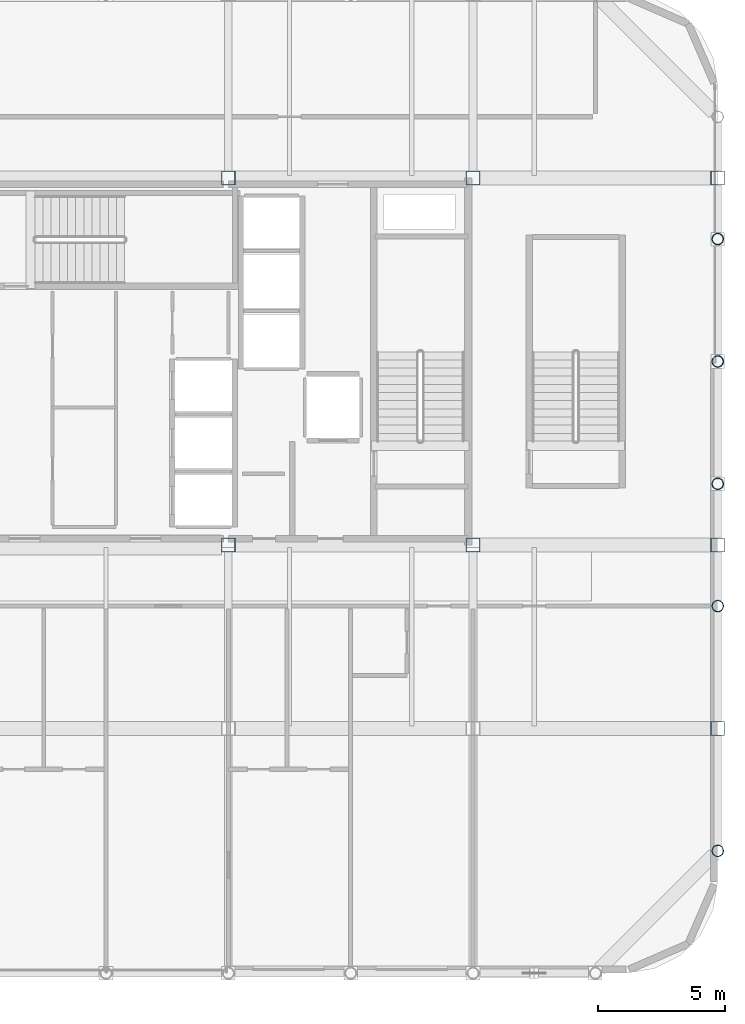
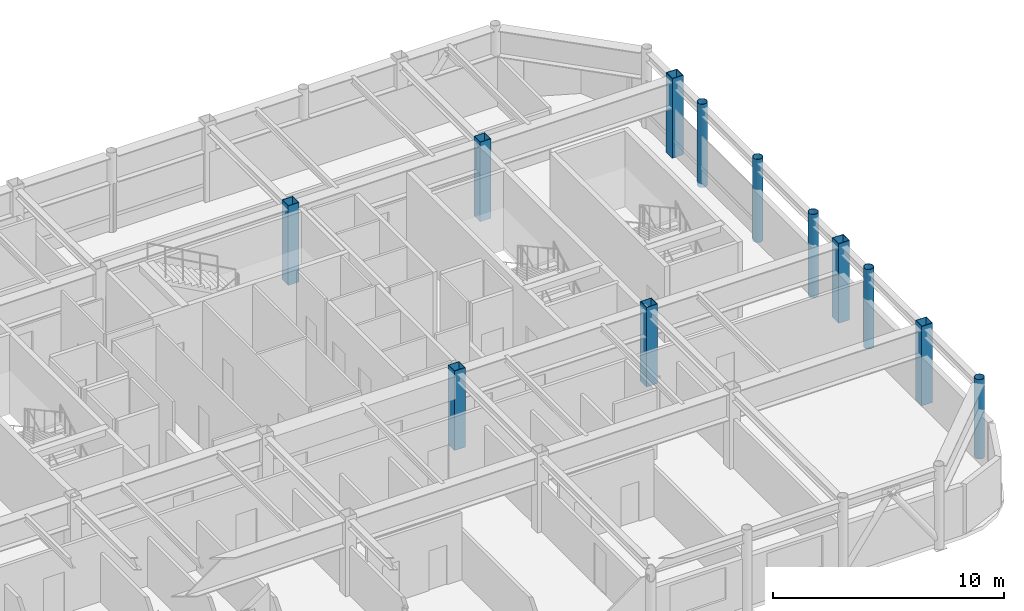
# One storey, part 2 of 23: 12 columns.
"""IFC4 building model written with IfcOpenShell, lengths in metres."""

from ifc_helpers import new_model, si_unit, direction, frame, origin, origin_2d, place, context, subcontext, project, spatial, hollow_rectangle, hollow_circle, extrude, material, material_profile, profile_set, type_object, element, save


model = new_model("IFC4")

# Units and contexts
model_context = context("Model", 3, precision=1e-05, world=origin(), true_north=direction((0.0, 1.0)))
body_context = subcontext(model_context, "Body", "Model", "MODEL_VIEW")
ifc_project = project(units=[si_unit("LENGTHUNIT", "METRE"), si_unit("AREAUNIT", "SQUARE_METRE"), si_unit("VOLUMEUNIT", "CUBIC_METRE"), si_unit("PLANEANGLEUNIT", "RADIAN"), si_unit("MASSUNIT", "GRAM", prefix="KILO")], contexts=[model_context])

# Site, building, storey
site_placement = place(None, origin())
site = spatial("IfcSite", under=ifc_project, at=site_placement, CompositionType="ELEMENT")
building_placement = place(site_placement, origin())
building = spatial("IfcBuilding", under=site, at=building_placement, Name="Kallvorn Hotel Tower", CompositionType="ELEMENT")
storey_placement = place(building_placement, frame((0.0, 0.0, 282.199951171875)))
storey = spatial("IfcBuildingStorey", under=building, at=storey_placement, Name="L70", CompositionType="ELEMENT", Elevation=282.199951171875)

# Columns
ifc_material_1 = material(Name="Structural steel S355J2H", Category="steel")
ifc_material_profile_1 = material_profile(ifc_material_1, hollow_circle(Radius=0.228515625, WallThickness=0.02001953125, at=origin_2d()), Name="CHS 457x20")
ifc_profile_set_1 = profile_set([ifc_material_profile_1], Name="Structural steel S355J2H")
column_type_1 = type_object("IfcColumnType", Name="COL_CHS_457", PredefinedType="COLUMN", material=ifc_profile_set_1)
for number, where, z_axis, x_axis, name in (
    (1, (24.0, -19.199951171875, 0.0), (0.0, 0.0, 1.0), (1.0, 0.0, 0.0), "L70 Exoskeleton Column EC23"),
    (2, (24.0, -9.60009765625, 0.0), (0.0, 0.0, 1.0), (1.0, 0.0, 0.0), "L70 Exoskeleton Column EC24"),
):
    element("IfcColumn", number, at=place(storey_placement, frame(where, z_axis=z_axis, x_axis=x_axis)), inside=storey, type_object=column_type_1, Name=name, PredefinedType="COLUMN", context=body_context, shape_type="SweptSolid", body=[
        extrude(hollow_circle(Radius=0.228515625, WallThickness=0.02001953125, at=origin_2d()), origin(), (0.0, 0.0, 1.0), 4.199951171875),
    ])
for number, where, z_axis, x_axis, name in (
    (3, (24.0, -4.800048828125, -0.199951171875), (0.0, 0.0, 1.0), (1.0, 0.0, 0.0), "L70 Exoskeleton Column EC25"),
    (4, (24.0, 0.0, -0.199951171875), (0.0, 0.0, 1.0), (1.0, 0.0, 0.0), "L70 Exoskeleton Column EC26"),
    (5, (24.0, 4.800048828125, -0.199951171875), (0.0, 0.0, 1.0), (1.0, 0.0, 0.0), "L70 Exoskeleton Column EC27"),
):
    element("IfcColumn", number, at=place(storey_placement, frame(where, z_axis=z_axis, x_axis=x_axis)), inside=storey, type_object=column_type_1, Name=name, PredefinedType="COLUMN", context=body_context, shape_type="SweptSolid", body=[
        extrude(hollow_circle(Radius=0.228515625, WallThickness=0.02001953125, at=origin_2d()), origin(), (0.0, 0.0, 1.0), 4.39990234375),
    ])
ifc_material_2 = material(Name="Structural steel S355J2H", Category="steel")
ifc_material_profile_2 = material_profile(ifc_material_2, hollow_rectangle(XDim=0.550048828125, YDim=0.550048828125, WallThickness=0.02490234375, at=origin_2d()), Name="RHS 550x550x25")
ifc_profile_set_2 = profile_set([ifc_material_profile_2], Name="Structural steel S355J2H")
column_type_2 = type_object("IfcColumnType", Name="COL_RHS_550", PredefinedType="COLUMN", material=ifc_profile_set_2)
for number, where, z_axis, x_axis, name in (
    (6, (4.800048828125, -7.199951171875, 0.0), (0.0, 0.0, 1.0), (1.0, 0.0, 0.0), "L70 Inner Column IC14"),
    (7, (4.800048828125, 7.199951171875, 0.0), (0.0, 0.0, 1.0), (1.0, 0.0, 0.0), "L70 Inner Column IC15"),
    (8, (14.39990234375, -7.199951171875, 0.0), (0.0, 0.0, 1.0), (1.0, 0.0, 0.0), "L70 Inner Column IC18"),
    (9, (14.39990234375, 7.199951171875, 0.0), (0.0, 0.0, 1.0), (1.0, 0.0, 0.0), "L70 Inner Column IC19"),
    (10, (24.0, -14.39990234375, 0.0), (0.0, 0.0, 1.0), (1.0, 0.0, 0.0), "L70 Inner Column IC21"),
    (11, (24.0, -7.199951171875, 0.0), (0.0, 0.0, 1.0), (1.0, 0.0, 0.0), "L70 Inner Column IC22"),
    (12, (24.0, 7.199951171875, 0.0), (0.0, 0.0, 1.0), (1.0, 0.0, 0.0), "L70 Inner Column IC23"),
):
    element("IfcColumn", number, at=place(storey_placement, frame(where, z_axis=z_axis, x_axis=x_axis)), inside=storey, type_object=column_type_2, Name=name, PredefinedType="COLUMN", context=body_context, shape_type="SweptSolid", body=[
        extrude(hollow_rectangle(XDim=0.550048828125, YDim=0.550048828125, WallThickness=0.02490234375, at=origin_2d()), origin(), (0.0, 0.0, 1.0), 4.199951171875),
    ])

save(model, "model.ifc")
